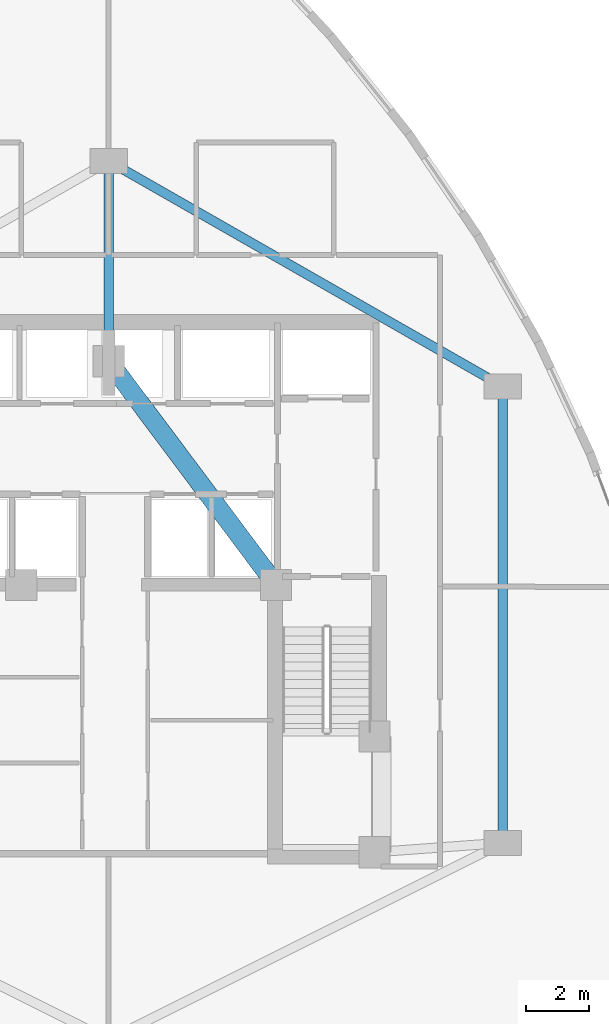
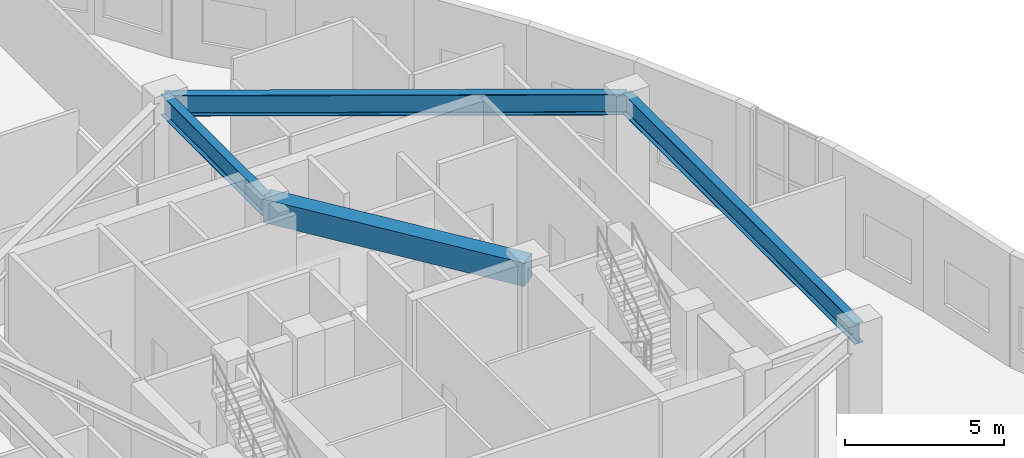
# One storey, part 7 of 14: 4 beams.
"""IFC4 building model written with IfcOpenShell, lengths in metres."""

from ifc_helpers import new_model, si_unit, direction, frame, origin, origin_2d, place, context, subcontext, project, spatial, rectangle, i_section, extrude, material, material_profile, profile_set, type_object, element, save


model = new_model("IFC4")

# Units and contexts
model_context = context("Model", 3, precision=1e-05, world=origin(), true_north=direction((0.0, 1.0)))
body_context = subcontext(model_context, "Body", "Model", "MODEL_VIEW")
ifc_project = project(units=[si_unit("LENGTHUNIT", "METRE"), si_unit("AREAUNIT", "SQUARE_METRE"), si_unit("VOLUMEUNIT", "CUBIC_METRE"), si_unit("PLANEANGLEUNIT", "RADIAN"), si_unit("MASSUNIT", "GRAM", prefix="KILO")], contexts=[model_context])

# Site, building, storey
site_placement = place(None, origin())
site = spatial("IfcSite", under=ifc_project, at=site_placement, CompositionType="ELEMENT")
building_placement = place(site_placement, origin())
building = spatial("IfcBuilding", under=site, at=building_placement, Name="Miruveldt Soraemaru", CompositionType="ELEMENT")
storey_placement = place(building_placement, frame((0.0, 0.0, 189.800048828125)))
storey = spatial("IfcBuildingStorey", under=building, at=storey_placement, Name="L52", CompositionType="ELEMENT", Elevation=189.800048828125)

# Beams
ifc_material_1 = material(Name="Concrete C60/75 (60 MPa)", Category="concrete")
ifc_material_profile_1 = material_profile(ifc_material_1, rectangle(XDim=0.60009765625, YDim=0.89990234375, at=origin_2d()), Name="Concrete C60/75 (60 MPa)", Category="concrete")
ifc_profile_set_1 = profile_set([ifc_material_profile_1], Name="Concrete C60/75 (60 MPa)")
beam_type_1 = type_object("IfcBeamType", Name="BM-RC-600x900", PredefinedType="BEAM", material=ifc_profile_set_1)
beam_1_placement = place(storey_placement, frame((49.35009765625, 44.050048828125, 3.89501953125), z_axis=(-0.599116023999, 0.800662219533, 0.0), x_axis=(-0.800662219533, -0.599116023999, 0.0)))
element("IfcBeam", 1, at=beam_1_placement, inside=storey, type_object=beam_type_1, Name="L52 Core Tie Beam 5", PredefinedType="BEAM", context=body_context, shape_type="SweptSolid", body=[
    extrude(rectangle(XDim=0.60009765625, YDim=0.89990234375, at=origin_2d()), origin(), (0.0, 0.0, 1.0), 8.929931640625),
])
ifc_material_2 = material(Name="Steel S460 (460 MPa)", Category="steel")
ifc_material_profile_2 = material_profile(ifc_material_2, i_section(OverallWidth=0.300048828125, OverallDepth=0.800048828125, WebThickness=0.013916015625, FlangeThickness=0.02587890625, FilletRadius=0.028076171875, at=origin_2d()), Name="Steel S460 (460 MPa)", Category="steel")
ifc_profile_set_2 = profile_set([ifc_material_profile_2], Name="Steel S460 (460 MPa)")
beam_type_2 = type_object("IfcBeamType", Name="BM-ST-H800", PredefinedType="BEAM", material=ifc_profile_set_2)
beam_2_placement = place(storey_placement, frame((44.0, 57.60009765625, 3.945068359375), z_axis=(0.868239001029, -0.496146185203, 0.0), x_axis=(0.496146185203, 0.868239001029, 0.0)))
element("IfcBeam", 2, at=beam_2_placement, inside=storey, type_object=beam_type_2, Name="L52 Inner Ring Girder 1", PredefinedType="BEAM", context=body_context, shape_type="SweptSolid", body=[
    extrude(i_section(OverallWidth=0.300048828125, OverallDepth=0.800048828125, WebThickness=0.013916015625, FlangeThickness=0.02587890625, FilletRadius=0.028076171875, at=origin_2d()), origin(), (0.0, 0.0, 1.0), 14.51220703125),
])
beam_3_placement = place(storey_placement, frame((44.0, 51.199951171875, 3.945068359375), z_axis=(0.0, 1.0, 0.0), x_axis=(-1.0, 0.0, 0.0)))
element("IfcBeam", 3, at=beam_3_placement, inside=storey, type_object=beam_type_2, Name="L52 Core-to-Inner Radial Girder 1", PredefinedType="BEAM", context=body_context, shape_type="SweptSolid", body=[
    extrude(i_section(OverallWidth=0.300048828125, OverallDepth=0.800048828125, WebThickness=0.013916015625, FlangeThickness=0.02587890625, FilletRadius=0.028076171875, at=origin_2d()), origin(), (0.0, 0.0, 1.0), 6.400146484375),
])
beam_4_placement = place(storey_placement, frame((56.60009765625, 50.39990234375, 3.945068359375), z_axis=(0.0, -1.0, 0.0), x_axis=(1.0, 0.0, 0.0)))
element("IfcBeam", 4, at=beam_4_placement, inside=storey, type_object=beam_type_2, Name="L52 Inner Ring Girder 2", PredefinedType="BEAM", context=body_context, shape_type="SweptSolid", body=[
    extrude(i_section(OverallWidth=0.300048828125, OverallDepth=0.800048828125, WebThickness=0.013916015625, FlangeThickness=0.02587890625, FilletRadius=0.028076171875, at=origin_2d()), origin(), (0.0, 0.0, 1.0), 14.599853515625),
])

save(model, "model.ifc")
